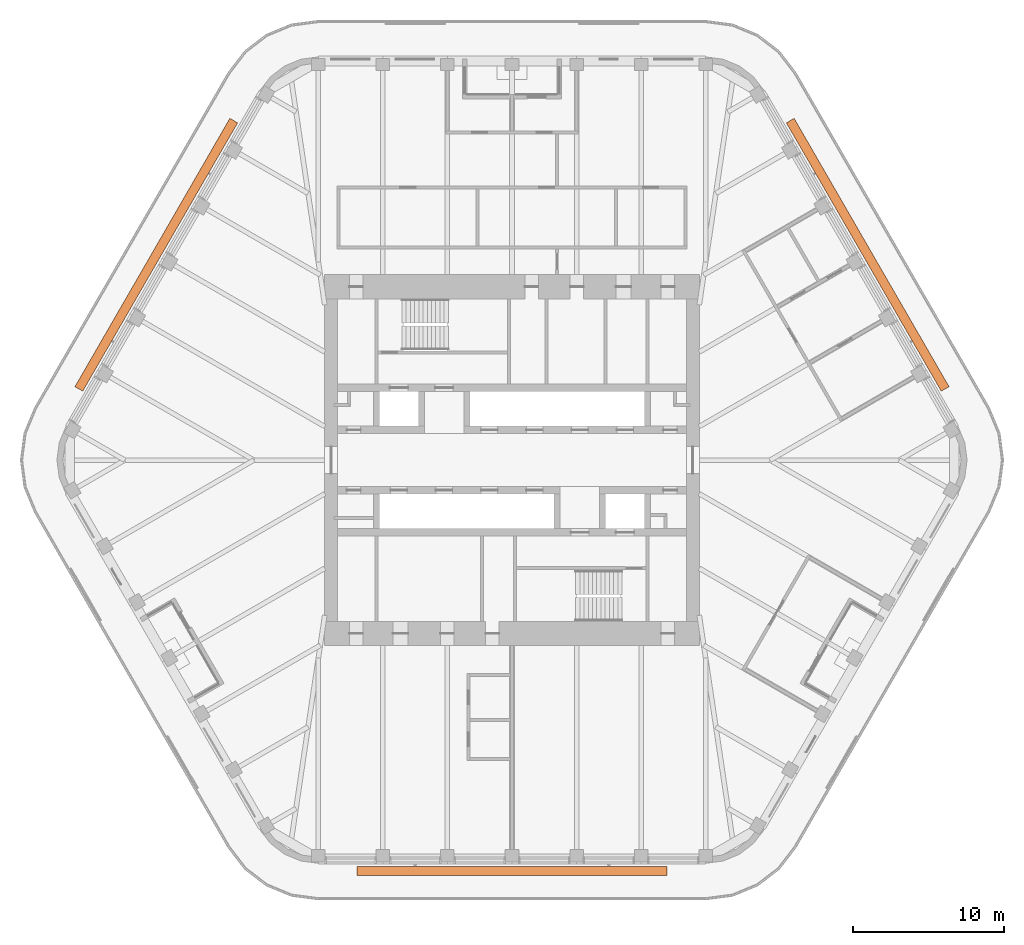
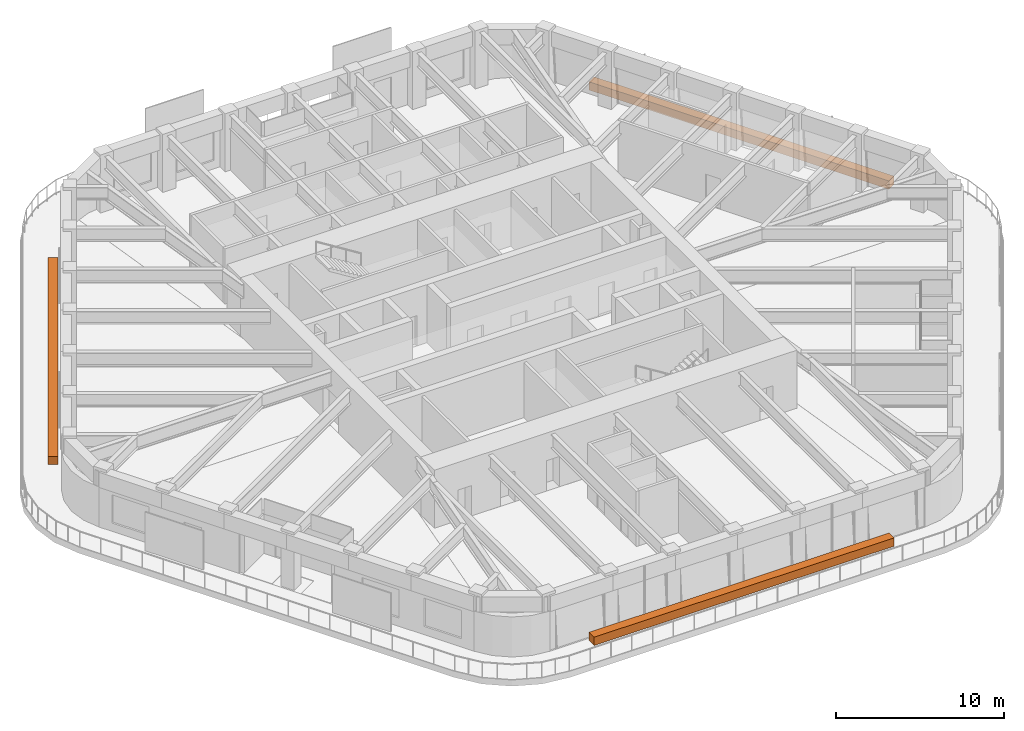
# One storey, part 19 of 19: 3 proxies.
"""IFC4 building model written with IfcOpenShell, lengths in metres."""

from ifc_helpers import new_model, si_unit, direction, frame, origin, origin_2d, place, context, subcontext, project, spatial, rectangle, extrude, material, element, save


model = new_model("IFC4")

# Units and contexts
model_context = context("Model", 3, precision=1e-05, world=origin(), true_north=direction((0.0, 1.0)))
body_context = subcontext(model_context, "Body", "Model", "MODEL_VIEW")
ifc_project = project(units=[si_unit("LENGTHUNIT", "METRE"), si_unit("AREAUNIT", "SQUARE_METRE"), si_unit("VOLUMEUNIT", "CUBIC_METRE"), si_unit("PLANEANGLEUNIT", "RADIAN"), si_unit("MASSUNIT", "GRAM", prefix="KILO")], contexts=[model_context])

# Site, building, storey
site_placement = place(None, origin())
site = spatial("IfcSite", under=ifc_project, at=site_placement, CompositionType="ELEMENT")
building_placement = place(site_placement, origin())
building = spatial("IfcBuilding", under=site, at=building_placement, Name="Tarfa Lantern Tower", CompositionType="ELEMENT")
storey_placement = place(building_placement, frame((0.0, 0.0, 370.300048828125)))
storey = spatial("IfcBuildingStorey", under=building, at=storey_placement, Name="L84", CompositionType="ELEMENT", Elevation=370.300048828125)

# Proxies
ifc_material = material(Name="Planting bed")
for number, where, z_axis, x_axis, name in (
    (1, (23.59912109375, 13.625, 0.0), (0.0, 0.0, 1.0), (-0.5, 0.866025403784, 0.0), "Balcony planter"),
    (2, (-23.59912109375, 13.625, 0.0), (0.0, 0.0, 1.0), (-0.5, -0.866025403784, 0.0), "Balcony planter"),
    (3, (0.0, -27.25, 0.0), (0.0, 0.0, 1.0), (1.0, 0.0, 0.0), "Balcony planter"),
):
    element("IfcBuildingElementProxy", number, at=place(storey_placement, frame(where, z_axis=z_axis, x_axis=x_axis)), inside=storey, material=ifc_material, Name=name, ObjectType="PLANTER", PredefinedType="USERDEFINED", context=body_context, shape_type="SweptSolid", body=[
        extrude(rectangle(XDim=20.5537109375, YDim=0.60009765625, at=origin_2d()), origin(), (0.0, 0.0, 1.0), 0.60009765625),
    ])

save(model, "model.ifc")
